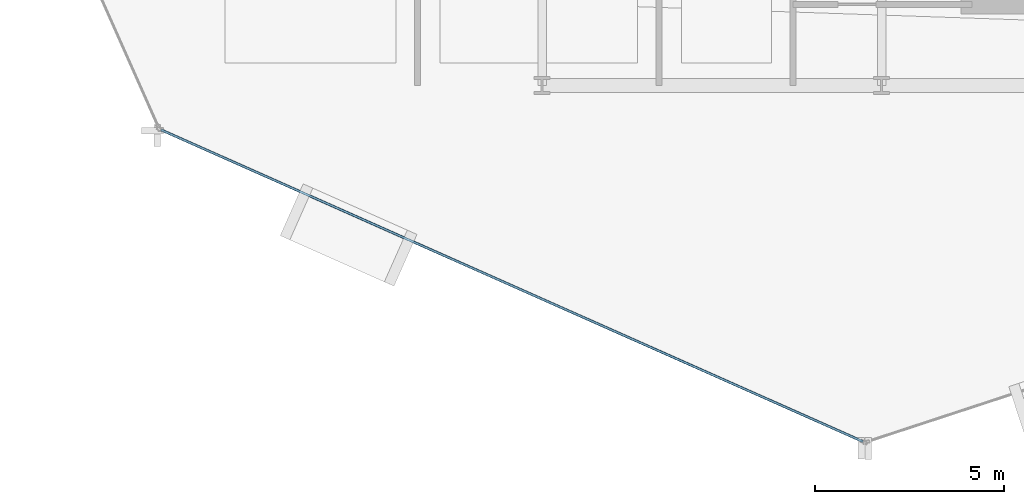
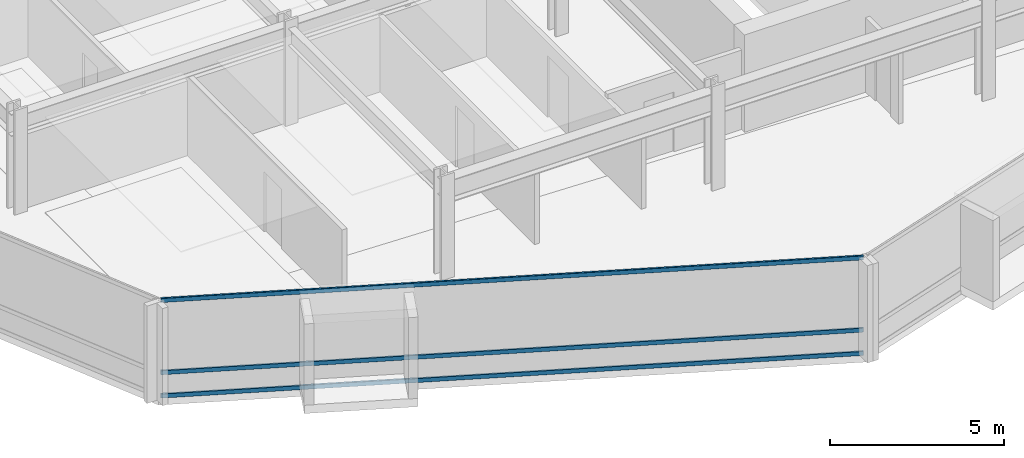
# One storey, part 3 of 34: 3 members, 1 element without a shape of its own.
"""IFC4 building model written with IfcOpenShell, lengths in metres."""

from ifc_helpers import new_model, si_unit, direction, frame, origin, origin_2d, place, context, subcontext, project, spatial, hollow_rectangle, extrude, material, layer, layer_set, material_profile, profile_set, type_object, element, aggregate, save


model = new_model("IFC4")

# Units and contexts
model_context = context("Model", 3, precision=1e-05, world=origin(), true_north=direction((0.0, 1.0)))
body_context = subcontext(model_context, "Body", "Model", "MODEL_VIEW")
ifc_project = project(units=[si_unit("LENGTHUNIT", "METRE"), si_unit("AREAUNIT", "SQUARE_METRE"), si_unit("VOLUMEUNIT", "CUBIC_METRE"), si_unit("PLANEANGLEUNIT", "RADIAN"), si_unit("MASSUNIT", "GRAM", prefix="KILO")], contexts=[model_context])

# Site, building, storey
site_placement = place(None, origin())
site = spatial("IfcSite", under=ifc_project, at=site_placement, CompositionType="ELEMENT")
building_placement = place(site_placement, origin())
building = spatial("IfcBuilding", under=site, at=building_placement, Name="Solvaryn Broadcast Tower", CompositionType="ELEMENT")
storey_placement = place(building_placement, frame((0.0, 0.0, 73.0)))
storey = spatial("IfcBuildingStorey", under=building, at=storey_placement, Name="L17", CompositionType="ELEMENT", Elevation=73.0)

# Curtain wall, members
ifc_material_1 = material(Name="Aluminium and Terracotta Unitised Curtain Wall", Category="masonry")
ifc_layer = layer(ifc_material_1, 0.199951171875)
ifc_layer_set = layer_set([ifc_layer], Name="CW-SYS2-LOWMID")
curtain_wall_type = type_object("IfcCurtainWallType", Name="CW-SYS2-LOWMID", PredefinedType="NOTDEFINED", material=ifc_layer_set)
curtain_wall_placement = place(storey_placement, origin())
curtain_wall = element("IfcCurtainWall", 1, at=curtain_wall_placement, inside=storey, type_object=curtain_wall_type, Name="L17 Curtain Wall DR3", PredefinedType="NOTDEFINED")
ifc_material_2 = material(Name="Anodised Aluminium 6063-T6", Category="aluminium")
ifc_material_profile = material_profile(ifc_material_2, hollow_rectangle(XDim=0.06494140625, YDim=0.14990234375, WallThickness=0.00390625, InnerFilletRadius=0.00390625, OuterFilletRadius=0.008056640625, at=origin_2d()))
ifc_profile_set = profile_set([ifc_material_profile], Name="Anodised Aluminium 6063-T6")
member_type = type_object("IfcMemberType", Name="CW-TRN-150", PredefinedType="USERDEFINED", material=ifc_profile_set)
member_1_placement = place(storey_placement, frame((7.90185546875, 7.82275390625, 0.030029296875), z_axis=(0.913914888191, -0.405905872269, 0.0), x_axis=(0.405905872269, 0.913914888191, 0.0)))
member_1 = element("IfcMember", 2, at=member_1_placement, type_object=member_type, Name="CWS2 transom 1.1", ObjectType="TRANSOM", PredefinedType="USERDEFINED", context=body_context, shape_type="SweptSolid", body=[
    extrude(hollow_rectangle(XDim=0.06494140625, YDim=0.14990234375, WallThickness=0.00390625, InnerFilletRadius=0.00390625, OuterFilletRadius=0.008056640625, at=origin_2d()), origin(), (0.0, 0.0, 1.0), 20.35546875),
])
member_2_placement = place(storey_placement, frame((7.90185546875, 7.82275390625, 0.85009765625), z_axis=(0.913914888191, -0.405905872269, 0.0), x_axis=(0.405905872269, 0.913914888191, 0.0)))
member_2 = element("IfcMember", 3, at=member_2_placement, type_object=member_type, Name="CWS2 transom 1.2", ObjectType="TRANSOM", PredefinedType="USERDEFINED", context=body_context, shape_type="SweptSolid", body=[
    extrude(hollow_rectangle(XDim=0.06494140625, YDim=0.14990234375, WallThickness=0.00390625, InnerFilletRadius=0.00390625, OuterFilletRadius=0.008056640625, at=origin_2d()), origin(), (0.0, 0.0, 1.0), 20.35546875),
])
member_3_placement = place(storey_placement, frame((7.90185546875, 7.82275390625, 3.389892578125), z_axis=(0.913914888191, -0.405905872269, 0.0), x_axis=(0.405905872269, 0.913914888191, 0.0)))
member_3 = element("IfcMember", 4, at=member_3_placement, type_object=member_type, Name="CWS2 transom 1.3", ObjectType="TRANSOM", PredefinedType="USERDEFINED", context=body_context, shape_type="SweptSolid", body=[
    extrude(hollow_rectangle(XDim=0.06494140625, YDim=0.14990234375, WallThickness=0.00390625, InnerFilletRadius=0.00390625, OuterFilletRadius=0.008056640625, at=origin_2d()), origin(), (0.0, 0.0, 1.0), 20.35546875),
])
aggregate(curtain_wall, [member_1, member_2, member_3])

save(model, "model.ifc")
